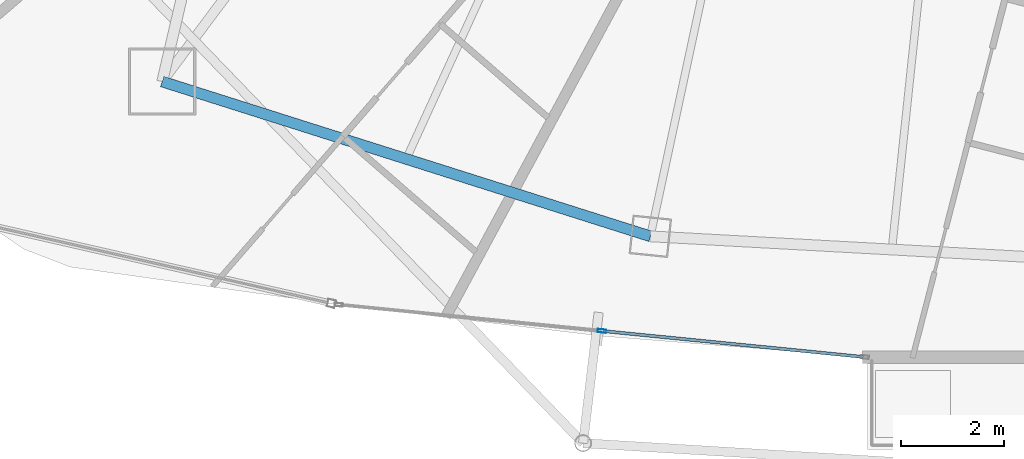
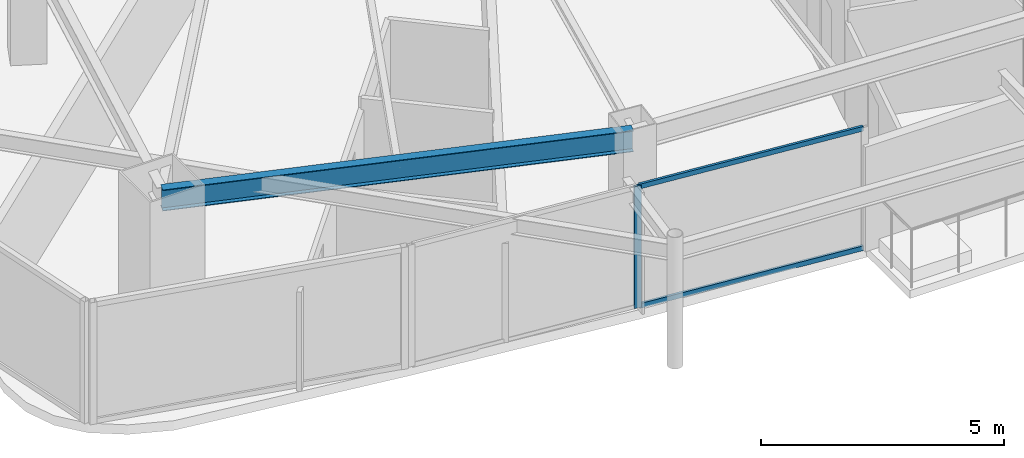
# One storey, part 4 of 30: 3 members, 1 beam, 1 element without a shape of its own.
"""IFC4 building model written with IfcOpenShell, lengths in metres."""

from ifc_helpers import new_model, si_unit, direction, frame, origin, origin_2d, place, context, subcontext, project, spatial, hollow_rectangle, i_section, extrude, material, layer, layer_set, material_profile, profile_set, type_object, element, aggregate, save


model = new_model("IFC4")

# Units and contexts
model_context = context("Model", 3, precision=1e-05, world=origin(), true_north=direction((0.0, 1.0)))
body_context = subcontext(model_context, "Body", "Model", "MODEL_VIEW")
ifc_project = project(units=[si_unit("LENGTHUNIT", "METRE"), si_unit("AREAUNIT", "SQUARE_METRE"), si_unit("VOLUMEUNIT", "CUBIC_METRE"), si_unit("PLANEANGLEUNIT", "RADIAN"), si_unit("MASSUNIT", "GRAM", prefix="KILO")], contexts=[model_context])

# Site, building, storey
site_placement = place(None, origin())
site = spatial("IfcSite", under=ifc_project, at=site_placement, CompositionType="ELEMENT")
building_placement = place(site_placement, origin())
building = spatial("IfcBuilding", under=site, at=building_placement, Name="Orvanel Arch Residences", CompositionType="ELEMENT")
storey_placement = place(building_placement, frame((0.0, 0.0, 229.39990234375)))
storey = spatial("IfcBuildingStorey", under=building, at=storey_placement, Name="L65", CompositionType="ELEMENT", Elevation=229.39990234375)

# Curtain wall, member
ifc_material_1 = material(Name="Bronze-anodised aluminium AA6063-T6", Category="aluminium")
ifc_layer = layer(ifc_material_1, 0.175048828125)
ifc_layer_set = layer_set([ifc_layer], Name="Bronze-anodised aluminium AA6063-T6")
curtain_wall_type = type_object("IfcCurtainWallType", Name="CW4-HI-SYS", PredefinedType="NOTDEFINED", material=ifc_layer_set)
curtain_wall_placement = place(storey_placement, origin())
curtain_wall = element("IfcCurtainWall", 1, at=curtain_wall_placement, inside=storey, type_object=curtain_wall_type, Name="L65 CW4-HI-SYS Unitised Curtain Wall", PredefinedType="NOTDEFINED")
ifc_material_profile_1 = material_profile(ifc_material_1, hollow_rectangle(XDim=0.06494140625, YDim=0.159912109375, WallThickness=0.00390625, at=origin_2d()), Name="ALU160x65x4")
ifc_profile_set_1 = profile_set([ifc_material_profile_1], Name="Bronze-anodised aluminium AA6063-T6")
member_type_1 = type_object("IfcMemberType", Name="MUL-160x65", PredefinedType="MULLION", material=ifc_profile_set_1)
member_1_placement = place(storey_placement, frame((22.71142578125, 5.52294921875, 0.0), z_axis=(0.0, 0.0, 1.0), x_axis=(0.099032673027, 0.995084182204, 0.0)))
member_1 = element("IfcMember", 2, at=member_1_placement, type_object=member_type_1, Name="CW-S4 mullion 2", PredefinedType="MULLION", context=body_context, shape_type="SweptSolid", body=[
    extrude(hollow_rectangle(XDim=0.06494140625, YDim=0.159912109375, WallThickness=0.00390625, at=origin_2d()), origin(), (0.0, 0.0, 1.0), 3.06005859375),
])

# Beam
ifc_material_2 = material(Name="Structural steel AS/NZS 3679.1 Grade 300 (300 MPa)", Category="steel")
ifc_material_profile_2 = material_profile(ifc_material_2, i_section(OverallWidth=0.208984375, OverallDepth=0.532958984375, WebThickness=0.01025390625, FlangeThickness=0.015625, at=origin_2d()), Name="530UB92.4")
ifc_profile_set_2 = profile_set([ifc_material_profile_2], Name="Structural steel AS/NZS 3679.1 Grade 300 (300 MPa)")
beam_type = type_object("IfcBeamType", Name="SP-530UB", PredefinedType="SPANDREL", material=ifc_profile_set_2)
beam_placement = place(storey_placement, frame((14.198974609375, 10.35107421875, 2.794189453125), z_axis=(0.953237386592, -0.302222574941, 0.0), x_axis=(0.302222574941, 0.953237386592, 0.0)))
element("IfcBeam", 3, at=beam_placement, inside=storey, type_object=beam_type, Name="L65 Perimeter Spandrel Beam 02", PredefinedType="SPANDREL", context=body_context, shape_type="SweptSolid", body=[
    extrude(i_section(OverallWidth=0.208984375, OverallDepth=0.532958984375, WebThickness=0.01025390625, FlangeThickness=0.015625, at=origin_2d()), origin(), (0.0, 0.0, 1.0), 9.91357421875),
])

# Member
ifc_material_profile_3 = material_profile(ifc_material_1, hollow_rectangle(XDim=0.06005859375, YDim=0.1201171875, WallThickness=0.00341796875, at=origin_2d()), Name="ALU120x60x3.5")
ifc_profile_set_3 = profile_set([ifc_material_profile_3], Name="Bronze-anodised aluminium AA6063-T6")
member_type_2 = type_object("IfcMemberType", Name="TRN-120x60", PredefinedType="USERDEFINED", material=ifc_profile_set_3)
member_2_placement = place(storey_placement, frame((22.743896484375, 5.519775390625, 0.030029296875), z_axis=(0.995085872893, -0.099015683448, 0.0), x_axis=(0.099015683448, 0.995085872893, 0.0)))
member_2 = element("IfcMember", 4, at=member_2_placement, type_object=member_type_2, Name="CW-S4 transom 2.1", ObjectType="TRANSOM", PredefinedType="USERDEFINED", context=body_context, shape_type="SweptSolid", body=[
    extrude(hollow_rectangle(XDim=0.06005859375, YDim=0.1201171875, WallThickness=0.00341796875, at=origin_2d()), origin(), (0.0, 0.0, 1.0), 5.05224609375),
])

member_3_placement = place(storey_placement, frame((22.743896484375, 5.519775390625, 3.030029296875), z_axis=(0.995085872893, -0.099015683448, 0.0), x_axis=(0.099015683448, 0.995085872893, 0.0)))
member_3 = element("IfcMember", 5, at=member_3_placement, type_object=member_type_2, Name="CW-S4 transom 2.2", ObjectType="TRANSOM", PredefinedType="USERDEFINED", context=body_context, shape_type="SweptSolid", body=[
    extrude(hollow_rectangle(XDim=0.06005859375, YDim=0.1201171875, WallThickness=0.00341796875, at=origin_2d()), origin(), (0.0, 0.0, 1.0), 5.05224609375),
])

aggregate(curtain_wall, [member_1, member_2, member_3])

save(model, "model.ifc")
